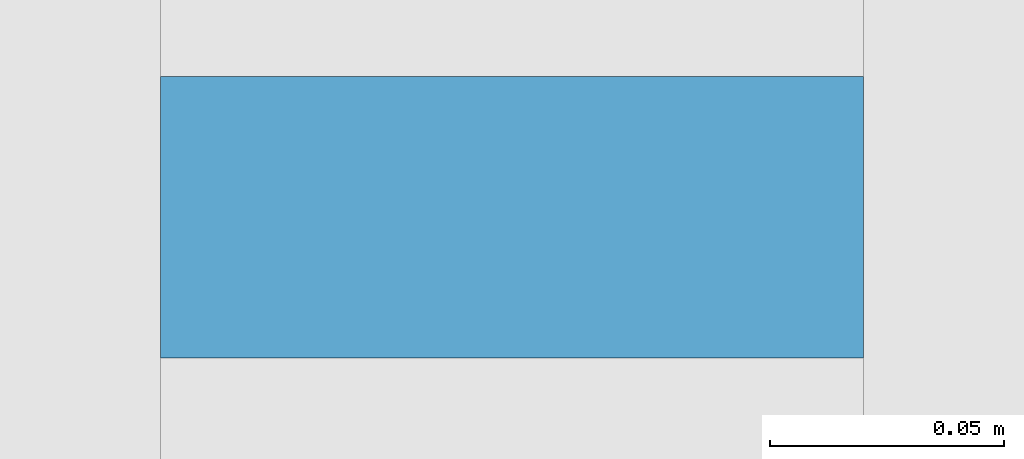
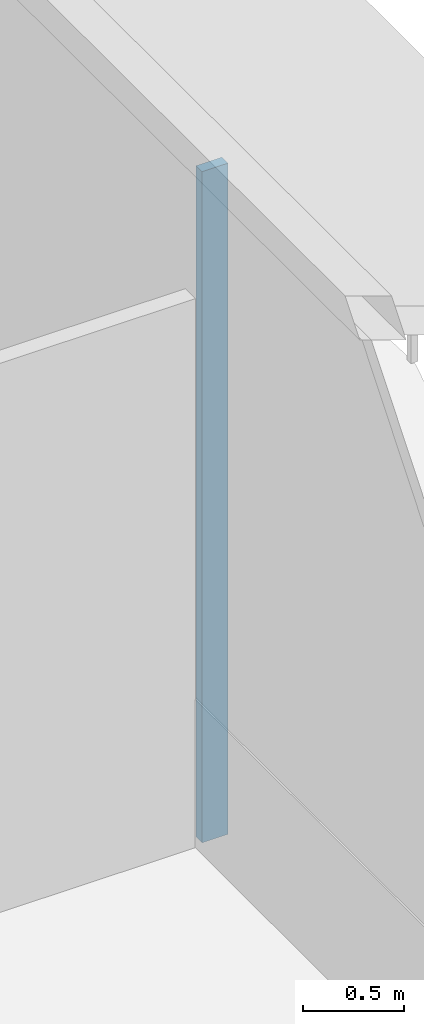
# One storey, part 13 of 22: 1 member, 1 element without a shape of its own.
"""IFC4 building model written with IfcOpenShell, lengths in metres."""

from ifc_helpers import new_model, si_unit, direction, frame, origin, origin_2d, place, context, subcontext, project, spatial, rectangle, extrude, source, transform, mapped, material, layer, layer_set, material_profile, profile_set, type_object, element, aggregate, save


model = new_model("IFC4")

# Units and contexts
model_context = context("Model", 3, precision=1e-05, world=origin(), true_north=direction((0.0, 1.0)))
body_context = subcontext(model_context, "Body", "Model", "MODEL_VIEW")
ifc_project = project(units=[si_unit("LENGTHUNIT", "METRE"), si_unit("AREAUNIT", "SQUARE_METRE"), si_unit("VOLUMEUNIT", "CUBIC_METRE"), si_unit("PLANEANGLEUNIT", "RADIAN"), si_unit("MASSUNIT", "GRAM", prefix="KILO")], contexts=[model_context])

# Site, building, storey
site_placement = place(None, origin())
site = spatial("IfcSite", under=ifc_project, at=site_placement, CompositionType="ELEMENT")
building_placement = place(site_placement, origin())
building = spatial("IfcBuilding", under=site, at=building_placement, Name="Trellis Farm Tower", CompositionType="ELEMENT")
storey_placement = place(building_placement, frame((0.0, 0.0, 70.0)))
storey = spatial("IfcBuildingStorey", under=building, at=storey_placement, Name="L14", CompositionType="ELEMENT", Elevation=70.0)

# Curtain wall, member
ifc_material_1 = material(Name="Aluminium and glass curtain wall", Category="aluminium")
ifc_layer = layer(ifc_material_1, 0.18994140625)
ifc_layer_set = layer_set([ifc_layer], Name="RIBBON CURTAIN WALL CW1")
curtain_wall_type = type_object("IfcCurtainWallType", Name="RIBBON CURTAIN WALL CW1", PredefinedType="NOTDEFINED", material=ifc_layer_set)
curtain_wall_placement = place(storey_placement, origin())
curtain_wall = element("IfcCurtainWall", 1, at=curtain_wall_placement, inside=storey, type_object=curtain_wall_type, Name="CW1 007", PredefinedType="NOTDEFINED")
ifc_material_2 = material(Name="Aluminium extrusion 6063-T6", Category="aluminium")
ifc_material_profile = material_profile(ifc_material_2, rectangle(XDim=0.06005859375, YDim=0.14990234375, at=origin_2d()), Name="MULLION 60x150")
ifc_profile_set = profile_set([ifc_material_profile], Name="Aluminium extrusion 6063-T6")
member_type = type_object("IfcMemberType", Name="CW1 MULLION 60x150", PredefinedType="MULLION", material=ifc_profile_set)
shared_shape = source(origin(), body_context, "Body", "SweptSolid", [
    extrude(rectangle(XDim=0.06005859375, YDim=0.14990234375, at=origin_2d()), origin(), (0.0, 0.0, 1.0), 4.070068359375),
])
member_placement = place(storey_placement, frame((32.425048828125, 0.0, 0.0), z_axis=(0.0, 0.0, 1.0), x_axis=(0.0, 1.0, 0.0)))
member = element("IfcMember", 2, at=member_placement, type_object=member_type, Name="MU1 007-01", PredefinedType="MULLION", context=body_context, shape_type="MappedRepresentation", body=[
    mapped(shared_shape, transform((0.0, 0.0, 0.0))),
])
aggregate(curtain_wall, [member])

save(model, "model.ifc")
